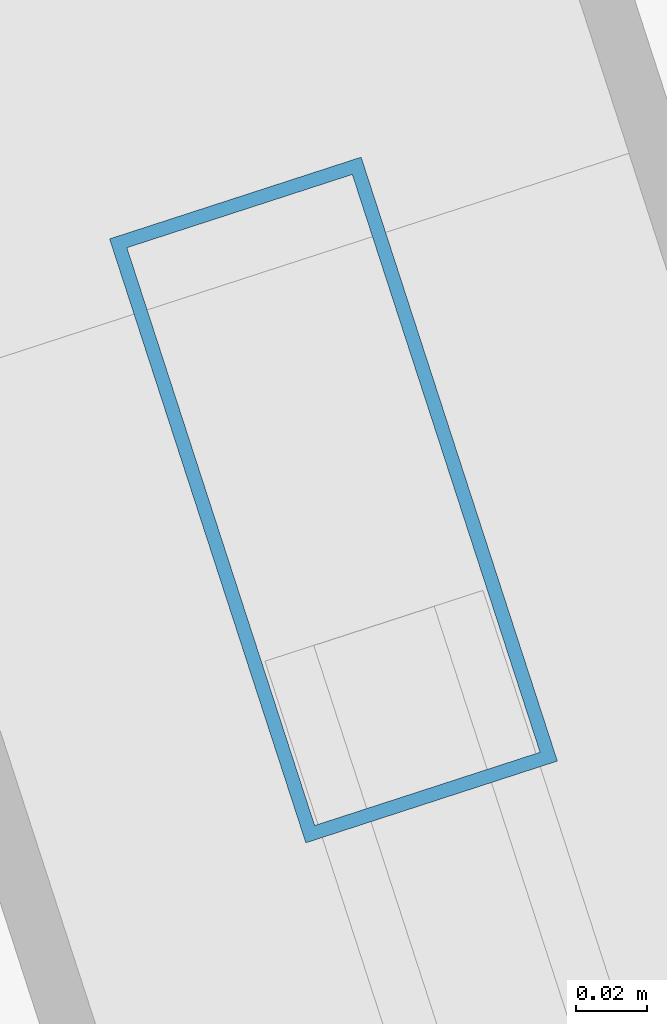
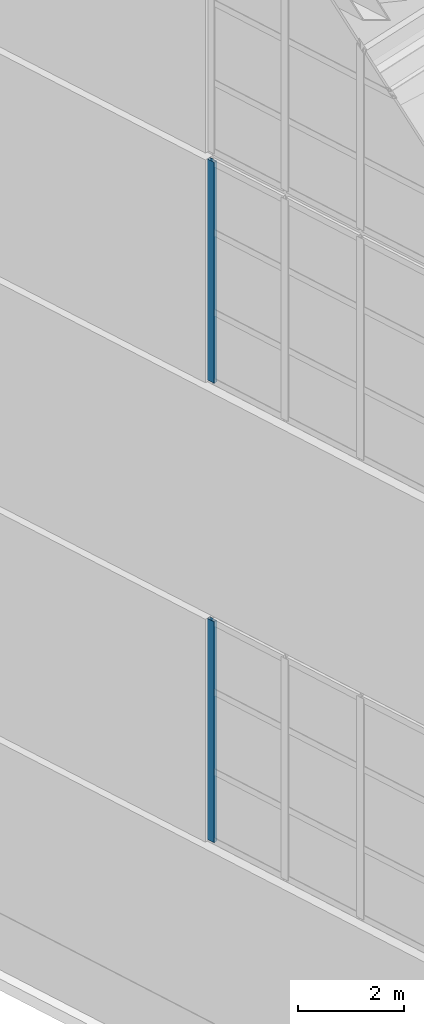
# One storey, part 11 of 56: 2 members, 2 elements without a shape of their own.
"""IFC4 building model written with IfcOpenShell, lengths in metres."""

from ifc_helpers import new_model, si_unit, direction, frame, origin, origin_2d, place, context, subcontext, project, spatial, hollow_rectangle, extrude, material, layer, layer_set, material_profile, profile_set, type_object, element, aggregate, save


model = new_model("IFC4")

# Units and contexts
model_context = context("Model", 3, precision=1e-05, world=origin(), true_north=direction((0.0, 1.0)))
body_context = subcontext(model_context, "Body", "Model", "MODEL_VIEW")
ifc_project = project(units=[si_unit("LENGTHUNIT", "METRE"), si_unit("AREAUNIT", "SQUARE_METRE"), si_unit("VOLUMEUNIT", "CUBIC_METRE"), si_unit("PLANEANGLEUNIT", "RADIAN"), si_unit("MASSUNIT", "GRAM", prefix="KILO")], contexts=[model_context])

# Site, building, storey
site_placement = place(None, origin())
site = spatial("IfcSite", under=ifc_project, at=site_placement, CompositionType="ELEMENT")
building_placement = place(site_placement, origin())
building = spatial("IfcBuilding", under=site, at=building_placement, Name="Qiaolan Cultural Towers", CompositionType="ELEMENT")
storey_placement = place(building_placement, frame((0.0, 0.0, 250.39990234375)))
storey = spatial("IfcBuildingStorey", under=building, at=storey_placement, Name="L68", CompositionType="ELEMENT", Elevation=250.39990234375)

# Curtain wall, member
ifc_material_1 = material(Name="Unitized Anodized Aluminium Curtain Wall System", Category="aluminium")
ifc_layer = layer(ifc_material_1, 0.199951171875)
ifc_layer_set = layer_set([ifc_layer], Name="Unitized Anodized Aluminium Curtain Wall System")
curtain_wall_type = type_object("IfcCurtainWallType", Name="CWS-06", PredefinedType="NOTDEFINED", material=ifc_layer_set)
curtain_wall_1_placement = place(storey_placement, origin())
curtain_wall_1 = element("IfcCurtainWall", 1, at=curtain_wall_1_placement, inside=storey, type_object=curtain_wall_type, Name="T2 Crown Tier 2 Fritted Screen Curtain Wall 7", PredefinedType="NOTDEFINED")
ifc_material_2 = material(Name="Extruded Aluminium 6063-T6", Category="aluminium")
ifc_material_profile = material_profile(ifc_material_2, hollow_rectangle(XDim=0.074951171875, YDim=0.179931640625, WallThickness=0.00390625, at=origin_2d()), Name="CWM-180x75x4")
ifc_profile_set = profile_set([ifc_material_profile], Name="Extruded Aluminium 6063-T6")
member_type = type_object("IfcMemberType", Name="CWS-06-MUL", PredefinedType="MULLION", material=ifc_profile_set)
member_1_placement = place(storey_placement, frame((75.0595703125, 35.16259765625, 5.400146484375), z_axis=(0.0, 0.0, 1.0), x_axis=(0.951056535512, 0.309016935232, 0.0)))
member_1 = element("IfcMember", 2, at=member_1_placement, type_object=member_type, Name="CW-6 mullion 1", PredefinedType="MULLION", context=body_context, shape_type="SweptSolid", body=[
    extrude(hollow_rectangle(XDim=0.074951171875, YDim=0.179931640625, WallThickness=0.00390625, at=origin_2d()), origin(), (0.0, 0.0, 1.0), 5.099853515625),
])
aggregate(curtain_wall_1, [member_1])

curtain_wall_2_placement = place(storey_placement, origin())
curtain_wall_2 = element("IfcCurtainWall", 3, at=curtain_wall_2_placement, inside=storey, type_object=curtain_wall_type, Name="T2 Crown Tier 4 Fritted Screen Curtain Wall 7", PredefinedType="NOTDEFINED")
member_2_placement = place(storey_placement, frame((75.0595703125, 35.16259765625, 16.0), z_axis=(0.0, 0.0, 1.0), x_axis=(0.951056535512, 0.309016935232, 0.0)))
member_2 = element("IfcMember", 4, at=member_2_placement, type_object=member_type, Name="CW-6 mullion 1", PredefinedType="MULLION", context=body_context, shape_type="SweptSolid", body=[
    extrude(hollow_rectangle(XDim=0.074951171875, YDim=0.179931640625, WallThickness=0.00390625, at=origin_2d()), origin(), (0.0, 0.0, 1.0), 5.10009765625),
])
aggregate(curtain_wall_2, [member_2])

save(model, "model.ifc")
